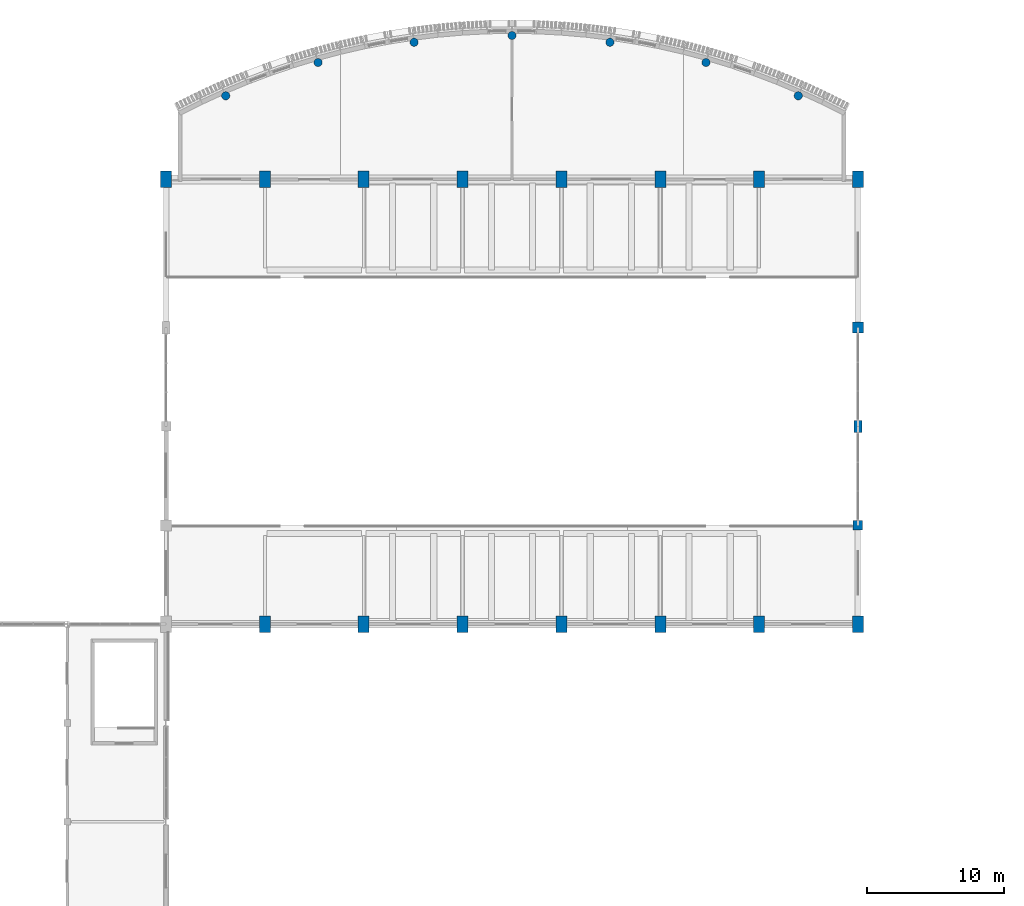
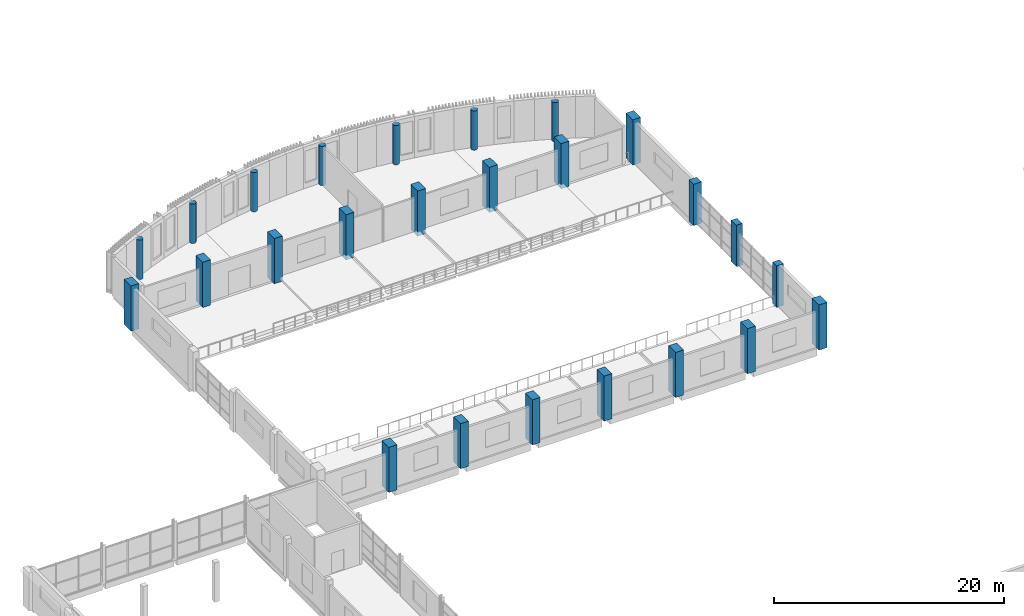
# One storey, part 7 of 71: 25 columns.
"""IFC4 building model written with IfcOpenShell, lengths in metres."""

import ifcopenshell
import ifcopenshell.guid

model = None  # the IFC model being written
_history = None  # IfcOwnerHistory: only IFC2X3 demands one
_inside = {}  # id of a spatial element -> (the spatial element, [elements in it])
_under = {}  # id of a project, library or spatial element -> (it, [spatial elements below it])
_declared = {}  # id of a project -> (the project, [libraries it declares])
_typed = {}  # id of a type object -> (the type object, [elements of that type])
_made_of = {}  # id of a material, layer set ... -> (it, [elements and type objects made of it])


def new_model(schema):
    """Start an empty IFC model of exactly this schema.

    Asked for "IFC4X3", IfcOpenShell would pick the latest addendum, in which some entities
    have other attributes; the version numbers below select the first issue.
    IFC2X3 requires an IfcOwnerHistory on every rooted entity: one is made here for all.
    """
    global model, _history
    if schema == "IFC4X3":
        model = ifcopenshell.file(schema_version=(4, 3, 0, 0))
    else:
        model = ifcopenshell.file(schema=schema)
    _inside.clear()
    _under.clear()
    _declared.clear()
    _typed.clear()
    _made_of.clear()
    _history = None
    if model.schema == "IFC2X3":
        org = make("IfcOrganization", Name="unknown")
        user = make(
            "IfcPersonAndOrganization",
            ThePerson=make("IfcPerson", FamilyName="unknown"),
            TheOrganization=org,
        )
        app = make(
            "IfcApplication",
            ApplicationDeveloper=org,
            Version="unknown",
            ApplicationFullName="unknown",
            ApplicationIdentifier="unknown",
        )
        _history = make(
            "IfcOwnerHistory",
            OwningUser=user,
            OwningApplication=app,
            ChangeAction="ADDED",
            CreationDate=0,
        )
    return model


def make(cls, **values):
    """One entity of the class cls with the attributes given. An attribute that is None is left unset."""
    return model.create_entity(
        cls, **{name: value for name, value in values.items() if value is not None}
    )


def rooted(cls, **values):
    """An entity with a GlobalId (a new one), such as an element, a storey or a relation."""
    return make(cls, GlobalId=ifcopenshell.guid.new(), OwnerHistory=_history, **values)


def si_unit(unit_type, name, prefix=None):
    """IfcSIUnit, for example si_unit("LENGTHUNIT", "METRE", prefix="MILLI")."""
    return make("IfcSIUnit", UnitType=unit_type, Prefix=prefix, Name=name)


def assignment(units):
    """IfcUnitAssignment: the units of a project."""
    return None if units is None else make("IfcUnitAssignment", Units=units)


def point(xyz):
    """IfcCartesianPoint."""
    return None if xyz is None else make("IfcCartesianPoint", Coordinates=xyz)


def direction(xyz):
    """IfcDirection."""
    return None if xyz is None else make("IfcDirection", DirectionRatios=xyz)


def frame(location, z_axis=None, x_axis=None):
    """IfcAxis2Placement3D, a coordinate frame: its origin and axes. An axis left out is left unset."""
    return make(
        "IfcAxis2Placement3D",
        Location=point(location),
        Axis=direction(z_axis),
        RefDirection=direction(x_axis),
    )


def frame_2d(location, x_axis=None):
    """IfcAxis2Placement2D, a coordinate frame in the plane: its origin and x axis."""
    return make(
        "IfcAxis2Placement2D", Location=point(location), RefDirection=direction(x_axis)
    )


def origin():
    """The frame at (0, 0, 0) with its axes left unset."""
    return frame((0.0, 0.0, 0.0))


def origin_2d():
    """The frame at (0, 0) in the plane with its x axis left unset."""
    return frame_2d((0.0, 0.0))


def place(relative_to, where):
    """IfcLocalPlacement: puts the frame where relative to a parent placement (None: the world)."""
    return make(
        "IfcLocalPlacement", PlacementRelTo=relative_to, RelativePlacement=where
    )


def context(
    kind, dimensions, precision=None, world=None, true_north=None, identifier=None
):
    """IfcGeometricRepresentationContext, for example the 3D "Model" context."""
    return make(
        "IfcGeometricRepresentationContext",
        ContextIdentifier=identifier,
        ContextType=kind,
        CoordinateSpaceDimension=dimensions,
        Precision=precision,
        WorldCoordinateSystem=world,
        TrueNorth=true_north,
    )


def subcontext(parent, identifier, kind, view, scale=None):
    """IfcGeometricRepresentationSubContext, for example "Body" below "Model"."""
    return make(
        "IfcGeometricRepresentationSubContext",
        ContextIdentifier=identifier,
        ContextType=kind,
        ParentContext=parent,
        TargetScale=scale,
        TargetView=view,
    )


def project(units=None, contexts=None):
    """IfcProject with its units and contexts."""
    return rooted(
        "IfcProject",
        Name="project",
        RepresentationContexts=contexts,
        UnitsInContext=assignment(units),
    )


def spatial(cls, under=None, at=None, **own):
    """A site, building, storey or space (cls), placed at a placement, below another one or the project."""
    s = rooted(cls, ObjectPlacement=at, **own)
    if under is not None:
        _under.setdefault(under.id(), (under, []))[1].append(s)
    return s


def profile(cls, at=None, kind="AREA", **sizes):
    """A parametric profile (cls). Its sizes go by their IFC names, for example OverallWidth=200.0."""
    return make(cls, ProfileType=kind, Position=at, **sizes)


def rectangle(**sizes):
    """IfcRectangleProfileDef."""
    return profile("IfcRectangleProfileDef", **sizes)


def circle(**sizes):
    """IfcCircleProfileDef."""
    return profile("IfcCircleProfileDef", **sizes)


def extrude(swept, where, along, depth):
    """IfcExtrudedAreaSolid: the profile swept, set in the frame where, extruded along a direction by depth."""
    return make(
        "IfcExtrudedAreaSolid",
        SweptArea=swept,
        Position=where,
        ExtrudedDirection=direction(along),
        Depth=depth,
    )


def shape(context_of_items, identifier, shape_type, items):
    """IfcShapeRepresentation: the items that make up one representation, for example the "Body"."""
    return make(
        "IfcShapeRepresentation",
        ContextOfItems=context_of_items,
        RepresentationIdentifier=identifier,
        RepresentationType=shape_type,
        Items=items,
    )


def material(Name=None, Category=None):
    """IfcMaterial."""
    return make("IfcMaterial", Name=Name, Category=Category)


def material_profile(
    of_material, cross_section, Name=None, Category=None, Priority=None
):
    """IfcMaterialProfile: a cross section and its material."""
    return make(
        "IfcMaterialProfile",
        Name=Name,
        Material=of_material,
        Profile=cross_section,
        Priority=Priority,
        Category=Category,
    )


def profile_set(profiles, Name=None, composite=None):
    """IfcMaterialProfileSet."""
    return make(
        "IfcMaterialProfileSet",
        Name=Name,
        MaterialProfiles=profiles,
        CompositeProfile=composite,
    )


def made_of(thing, what):
    """Note that an element or type object is made of a material, layer set ...; save() writes the relation."""
    if what is not None:
        _made_of.setdefault(what.id(), (what, []))[1].append(thing)
    return thing


def type_object(cls, material=None, **own):
    """A type object (cls), such as IfcWallType, which elements share."""
    return made_of(rooted(cls, **own), material)


def element(
    cls,
    number,
    at=None,
    inside=None,
    cuts=None,
    type_object=None,
    material=None,
    context=None,
    identifier="Body",
    shape_type=None,
    held_by="IfcProductDefinitionShape",
    body=None,
    shapes=None,
    **own,
):
    """One element of the class cls, such as IfcWall. Its Tag is "e" and its number.

    at: its placement. inside: the storey or other place that contains it. cuts: it is an
    opening in that element (IfcRelVoidsElement). A single representation is given by context,
    identifier, shape_type and body (its items); several are given by shapes. held_by: the class
    of the entity that holds the representations. save() writes the other relations.
    """
    e = rooted(cls, Tag="e%d" % number, ObjectPlacement=at, **own)
    if body is not None:
        shapes = [shape(context, identifier, shape_type, body)]
    if shapes is not None:
        e.Representation = make(held_by, Representations=shapes)
    if inside is not None:
        _inside.setdefault(inside.id(), (inside, []))[1].append(e)
    if cuts is not None:
        rooted(
            "IfcRelVoidsElement", RelatingBuildingElement=cuts, RelatedOpeningElement=e
        )
    if type_object is not None:
        _typed.setdefault(type_object.id(), (type_object, []))[1].append(e)
    return made_of(e, material)


def aggregate(whole, parts):
    """IfcRelAggregates: a whole, such as a stair, and the parts it consists of."""
    return rooted("IfcRelAggregates", RelatingObject=whole, RelatedObjects=parts)


def save(model, path):
    """Write the relations noted so far, then the file.

    IfcRelAggregates (storeys below a building ...), IfcRelContainedInSpatialStructure (elements
    in a storey), IfcRelDefinesByType, IfcRelAssociatesMaterial and IfcRelDeclares: one each for
    every whole, place, type object, material and project.
    """
    for whole, parts in _under.values():
        aggregate(whole, parts)
    for where, things in _inside.values():
        rooted(
            "IfcRelContainedInSpatialStructure",
            RelatedElements=things,
            RelatingStructure=where,
        )
    for kind, things in _typed.values():
        rooted("IfcRelDefinesByType", RelatedObjects=things, RelatingType=kind)
    for what, things in _made_of.values():
        rooted("IfcRelAssociatesMaterial", RelatedObjects=things, RelatingMaterial=what)
    for by, libraries in _declared.values():
        rooted("IfcRelDeclares", RelatingContext=by, RelatedDefinitions=libraries)
    model.write(path)


model = new_model("IFC4")

# Units and contexts
model_context = context("Model", 3, precision=1e-05, world=origin(), true_north=direction((0.0, 1.0)))
body_context = subcontext(model_context, "Body", "Model", "MODEL_VIEW")
ifc_project = project(units=[si_unit("LENGTHUNIT", "METRE"), si_unit("AREAUNIT", "SQUARE_METRE"), si_unit("VOLUMEUNIT", "CUBIC_METRE"), si_unit("PLANEANGLEUNIT", "RADIAN"), si_unit("MASSUNIT", "GRAM", prefix="KILO")], contexts=[model_context])

# Site, building, storey
site_placement = place(None, origin())
site = spatial("IfcSite", under=ifc_project, at=site_placement, CompositionType="ELEMENT")
building_placement = place(site_placement, origin())
building = spatial("IfcBuilding", under=site, at=building_placement, Name="Sardonyx Promenade Sports Hall", CompositionType="ELEMENT")
storey_placement = place(building_placement, frame((0.0, 0.0, 16.0)))
storey = spatial("IfcBuildingStorey", under=building, at=storey_placement, Name="L03", CompositionType="ELEMENT", Elevation=16.0)

# Columns
ifc_material_1 = material(Name="Concrete C40/50", Category="concrete")
ifc_material_profile_1 = material_profile(ifc_material_1, rectangle(XDim=0.60009765625, YDim=0.89990234375, at=origin_2d()))
ifc_profile_set_1 = profile_set([ifc_material_profile_1], Name="Concrete C40/50")
column_type_1 = type_object("IfcColumnType", Name="Col_Ext_RC600x900", PredefinedType="COLUMN", material=ifc_profile_set_1)
column_1_placement = place(storey_placement, frame((79.199951171875, 86.39990234375, 0.0), z_axis=(0.0, 0.0, 1.0), x_axis=(1.0, 0.0, 0.0)))
element("IfcColumn", 1, at=column_1_placement, inside=storey, type_object=column_type_1, Name="Column CE12 L03 (79.2,86.4)", PredefinedType="COLUMN", context=body_context, shape_type="SweptSolid", body=[
    extrude(rectangle(XDim=0.60009765625, YDim=0.89990234375, at=origin_2d()), origin(), (0.0, 0.0, 1.0), 4.39990234375),
])
ifc_material_2 = material(Name="Concrete C40/50", Category="concrete")
ifc_material_profile_2 = material_profile(ifc_material_2, rectangle(XDim=0.699951171875, YDim=0.699951171875, at=origin_2d()))
ifc_profile_set_2 = profile_set([ifc_material_profile_2], Name="Concrete C40/50")
column_type_2 = type_object("IfcColumnType", Name="Col_Ext_RC700", PredefinedType="COLUMN", material=ifc_profile_set_2)
column_2_placement = place(storey_placement, frame((79.199951171875, 79.199951171875, 0.0), z_axis=(0.0, 0.0, 1.0), x_axis=(1.0, 0.0, 0.0)))
element("IfcColumn", 2, at=column_2_placement, inside=storey, type_object=column_type_2, Name="Column CE05 L03 (79.2,79.2)", PredefinedType="COLUMN", context=body_context, shape_type="SweptSolid", body=[
    extrude(rectangle(XDim=0.699951171875, YDim=0.699951171875, at=origin_2d()), origin(), (0.0, 0.0, 1.0), 4.39990234375),
])
ifc_material_3 = material(Name="Concrete C50/60", Category="concrete")
ifc_material_profile_3 = material_profile(ifc_material_3, rectangle(XDim=0.800048828125, YDim=0.800048828125, at=origin_2d()))
ifc_profile_set_3 = profile_set([ifc_material_profile_3], Name="Concrete C50/60")
column_type_3 = type_object("IfcColumnType", Name="Col_Ext_RC800", PredefinedType="COLUMN", material=ifc_profile_set_3)
column_3_placement = place(storey_placement, frame((79.199951171875, 93.60009765625, 0.0), z_axis=(0.0, 0.0, 1.0), x_axis=(1.0, 0.0, 0.0)))
element("IfcColumn", 3, at=column_3_placement, inside=storey, type_object=column_type_3, Name="Column CE13 L03 (79.2,93.6)", PredefinedType="COLUMN", context=body_context, shape_type="SweptSolid", body=[
    extrude(rectangle(XDim=0.800048828125, YDim=0.800048828125, at=origin_2d()), origin(), (0.0, 0.0, 1.0), 4.39990234375),
])
ifc_material_4 = material(Name="Concrete C50/60", Category="concrete")
ifc_material_profile_4 = material_profile(ifc_material_4, rectangle(XDim=0.800048828125, YDim=1.199951171875, at=origin_2d()))
ifc_profile_set_4 = profile_set([ifc_material_profile_4], Name="Concrete C50/60")
column_type_4 = type_object("IfcColumnType", Name="Col_Ext_RC800x1200", PredefinedType="COLUMN", material=ifc_profile_set_4)
for number, where, z_axis, x_axis, name in (
    (4, (28.800048828125, 104.39990234375, 0.0), (0.0, 0.0, 1.0), (1.0, 0.0, 0.0), "Column CE08 L03 (28.8,104.4)"),
    (5, (36.0, 72.0, 0.0), (0.0, 0.0, 1.0), (1.0, 0.0, 0.0), "Column CE08 L03 (36.0,72.0)"),
    (6, (36.0, 104.39990234375, 0.0), (0.0, 0.0, 1.0), (1.0, 0.0, 0.0), "Column CE08 L03 (36.0,104.4)"),
    (7, (43.199951171875, 72.0, 0.0), (0.0, 0.0, 1.0), (1.0, 0.0, 0.0), "Column CE08 L03 (43.2,72.0)"),
    (8, (43.199951171875, 104.39990234375, 0.0), (0.0, 0.0, 1.0), (1.0, 0.0, 0.0), "Column CE08 L03 (43.2,104.4)"),
    (9, (50.39990234375, 72.0, 0.0), (0.0, 0.0, 1.0), (1.0, 0.0, 0.0), "Column CE08 L03 (50.4,72.0)"),
    (10, (50.39990234375, 104.39990234375, 0.0), (0.0, 0.0, 1.0), (1.0, 0.0, 0.0), "Column CE08 L03 (50.4,104.4)"),
    (11, (57.60009765625, 72.0, 0.0), (0.0, 0.0, 1.0), (1.0, 0.0, 0.0), "Column CE08 L03 (57.6,72.0)"),
    (12, (57.60009765625, 104.39990234375, 0.0), (0.0, 0.0, 1.0), (1.0, 0.0, 0.0), "Column CE08 L03 (57.6,104.4)"),
    (13, (64.800048828125, 72.0, 0.0), (0.0, 0.0, 1.0), (1.0, 0.0, 0.0), "Column CE08 L03 (64.8,72.0)"),
    (14, (64.800048828125, 104.39990234375, 0.0), (0.0, 0.0, 1.0), (1.0, 0.0, 0.0), "Column CE08 L03 (64.8,104.4)"),
    (15, (72.0, 72.0, 0.0), (0.0, 0.0, 1.0), (1.0, 0.0, 0.0), "Column CE08 L03 (72.0,72.0)"),
    (16, (72.0, 104.39990234375, 0.0), (0.0, 0.0, 1.0), (1.0, 0.0, 0.0), "Column CE08 L03 (72.0,104.4)"),
    (17, (79.199951171875, 72.0, 0.0), (0.0, 0.0, 1.0), (1.0, 0.0, 0.0), "Column CE08 L03 (79.2,72.0)"),
    (18, (79.199951171875, 104.39990234375, 0.0), (0.0, 0.0, 1.0), (1.0, 0.0, 0.0), "Column CE08 L03 (79.2,104.4)"),
):
    element("IfcColumn", number, at=place(storey_placement, frame(where, z_axis=z_axis, x_axis=x_axis)), inside=storey, type_object=column_type_4, Name=name, PredefinedType="COLUMN", context=body_context, shape_type="SweptSolid", body=[
        extrude(rectangle(XDim=0.800048828125, YDim=1.199951171875, at=origin_2d()), origin(), (0.0, 0.0, 1.0), 4.800048828125),
    ])
ifc_material_5 = material(Name="Concrete C40/50", Category="concrete")
ifc_material_profile_5 = material_profile(ifc_material_5, circle(Radius=0.300048828125, at=origin_2d()))
ifc_profile_set_5 = profile_set([ifc_material_profile_5], Name="Concrete C40/50")
column_type_5 = type_object("IfcColumnType", Name="Col_Ext_RCD600", PredefinedType="COLUMN", material=ifc_profile_set_5)
for number, where, z_axis, x_axis, name in (
    (19, (33.14404296875, 110.48486328125, 0.0), (0.0, 0.0, 1.0), (1.0, 0.0, 0.0), "Column CE15 L03 (33.1,110.5)"),
    (20, (39.8701171875, 112.910888671875, 0.0), (0.0, 0.0, 1.0), (1.0, 0.0, 0.0), "Column CE15 L03 (39.9,112.9)"),
    (21, (46.86669921875, 114.38525390625, 0.0), (0.0, 0.0, 1.0), (1.0, 0.0, 0.0), "Column CE15 L03 (46.9,114.4)"),
    (22, (54.0, 114.8798828125, 0.0), (0.0, 0.0, 1.0), (1.0, 0.0, 0.0), "Column CE15 L03 (54.0,114.9)"),
    (23, (61.13330078125, 114.38525390625, 0.0), (0.0, 0.0, 1.0), (1.0, 0.0, 0.0), "Column CE15 L03 (61.1,114.4)"),
    (24, (68.1298828125, 112.910888671875, 0.0), (0.0, 0.0, 1.0), (1.0, 0.0, 0.0), "Column CE15 L03 (68.1,112.9)"),
    (25, (74.85595703125, 110.48486328125, 0.0), (0.0, 0.0, 1.0), (1.0, 0.0, 0.0), "Column CE15 L03 (74.9,110.5)"),
):
    element("IfcColumn", number, at=place(storey_placement, frame(where, z_axis=z_axis, x_axis=x_axis)), inside=storey, type_object=column_type_5, Name=name, PredefinedType="COLUMN", context=body_context, shape_type="SweptSolid", body=[
        extrude(circle(Radius=0.300048828125, at=origin_2d()), origin(), (0.0, 0.0, 1.0), 4.169921875),
    ])

save(model, "model.ifc")
